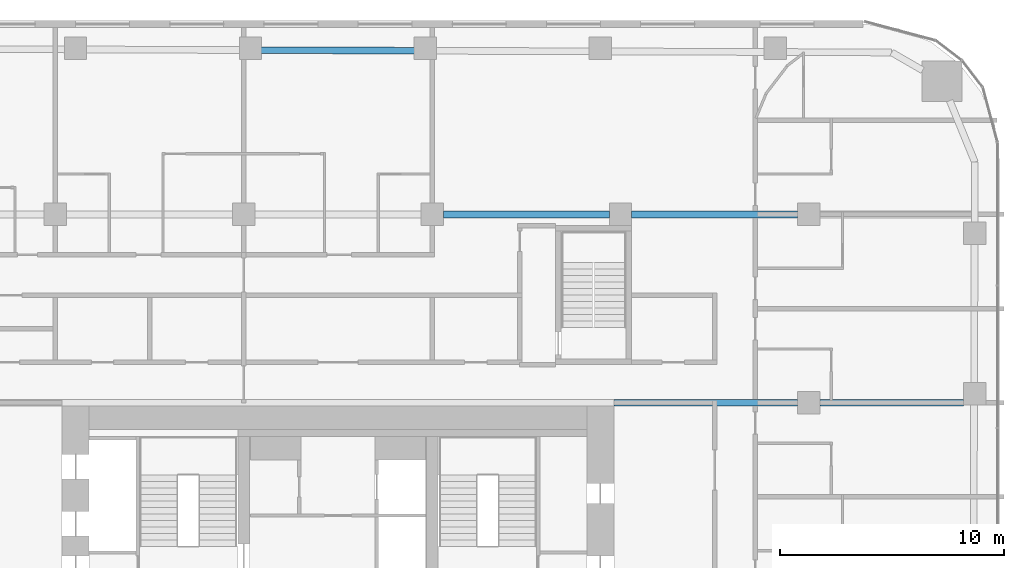
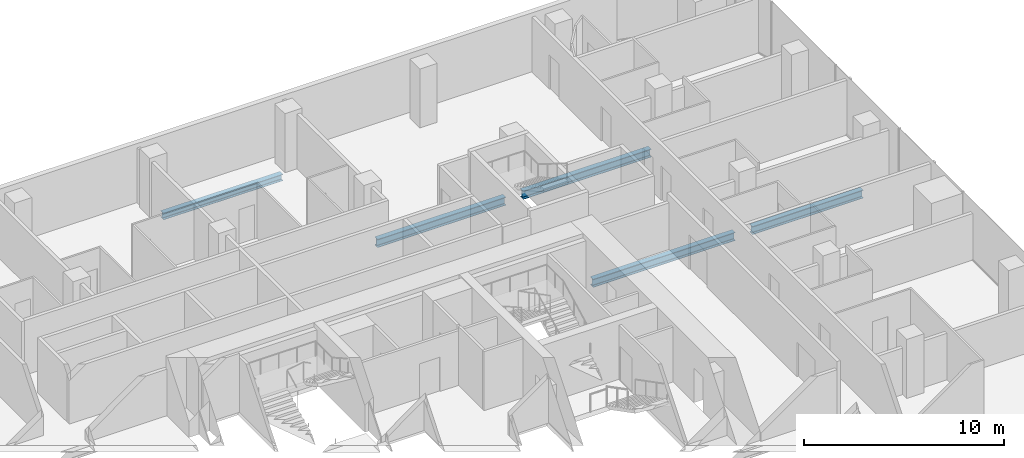
# One storey, part 11 of 25: 5 beams.
"""IFC4 building model written with IfcOpenShell, lengths in metres."""

from ifc_helpers import new_model, si_unit, direction, frame, origin, origin_2d, place, context, subcontext, project, spatial, i_section, extrude, material, material_profile, profile_set, type_object, element, save


model = new_model("IFC4")

# Units and contexts
model_context = context("Model", 3, precision=1e-05, world=origin(), true_north=direction((0.0, 1.0)))
body_context = subcontext(model_context, "Body", "Model", "MODEL_VIEW")
ifc_project = project(units=[si_unit("LENGTHUNIT", "METRE"), si_unit("AREAUNIT", "SQUARE_METRE"), si_unit("VOLUMEUNIT", "CUBIC_METRE"), si_unit("PLANEANGLEUNIT", "RADIAN"), si_unit("MASSUNIT", "GRAM", prefix="KILO")], contexts=[model_context])

# Site, building, storey
site_placement = place(None, origin())
site = spatial("IfcSite", under=ifc_project, at=site_placement, CompositionType="ELEMENT")
building_placement = place(site_placement, origin())
building = spatial("IfcBuilding", under=site, at=building_placement, Name="Marenta Gate Hotel Tower", CompositionType="ELEMENT")
storey_placement = place(building_placement, frame((0.0, 0.0, 50.89990234375)))
storey = spatial("IfcBuildingStorey", under=building, at=storey_placement, Name="L10", CompositionType="ELEMENT", Elevation=50.89990234375)

# Beams
ifc_material_1 = material(Name="Steel S355", Category="steel")
ifc_material_profile_1 = material_profile(ifc_material_1, i_section(OverallWidth=0.300048828125, OverallDepth=0.39990234375, WebThickness=0.013427734375, FlangeThickness=0.02392578125, FilletRadius=0.027099609375, at=origin_2d()), Name="HEB 400")
ifc_profile_set_1 = profile_set([ifc_material_profile_1], Name="Steel S355")
beam_type_1 = type_object("IfcBeamType", Name="Edge beam HEB 400", PredefinedType="SPANDREL", material=ifc_profile_set_1)
beam_1_placement = place(storey_placement, frame((-3.44140625, 32.52587890625, -0.4599609375), z_axis=(0.999993195747, -0.003688964684, 0.0), x_axis=(0.003688964684, 0.999993195747, 0.0)))
element("IfcBeam", 1, at=beam_1_placement, inside=storey, type_object=beam_type_1, Name="L10-EB-16", PredefinedType="SPANDREL", context=body_context, shape_type="SweptSolid", body=[
    extrude(i_section(OverallWidth=0.300048828125, OverallDepth=0.39990234375, WebThickness=0.013427734375, FlangeThickness=0.02392578125, FilletRadius=0.027099609375, at=origin_2d()), origin(), (0.0, 0.0, 1.0), 6.8828125),
])
ifc_material_2 = material(Name="Steel S355", Category="steel")
ifc_material_profile_2 = material_profile(ifc_material_2, i_section(OverallWidth=0.300048828125, OverallDepth=0.5, WebThickness=0.014404296875, FlangeThickness=0.028076171875, FilletRadius=0.027099609375, at=origin_2d()), Name="HEB 500")
ifc_profile_set_2 = profile_set([ifc_material_profile_2], Name="Steel S355")
beam_type_2 = type_object("IfcBeamType", Name="Girder HEB 500", PredefinedType="BEAM", material=ifc_profile_set_2)
beam_2_placement = place(storey_placement, frame((12.300048828125, 16.800048828125, -0.510009765625), z_axis=(1.0, 0.0, 0.0), x_axis=(0.0, 1.0, 0.0)))
element("IfcBeam", 2, at=beam_2_placement, inside=storey, type_object=beam_type_2, Name="L10-GD-20", PredefinedType="BEAM", context=body_context, shape_type="SweptSolid", body=[
    extrude(i_section(OverallWidth=0.300048828125, OverallDepth=0.5, WebThickness=0.014404296875, FlangeThickness=0.028076171875, FilletRadius=0.027099609375, at=origin_2d()), origin(), (0.0, 0.0, 1.0), 8.199951171875),
])
beam_3_placement = place(storey_placement, frame((21.5, 16.800048828125, -0.510009765625), z_axis=(1.0, 0.0, 0.0), x_axis=(0.0, 1.0, 0.0)))
element("IfcBeam", 3, at=beam_3_placement, inside=storey, type_object=beam_type_2, Name="L10-GD-21", PredefinedType="BEAM", context=body_context, shape_type="SweptSolid", body=[
    extrude(i_section(OverallWidth=0.300048828125, OverallDepth=0.5, WebThickness=0.014404296875, FlangeThickness=0.028076171875, FilletRadius=0.027099609375, at=origin_2d()), origin(), (0.0, 0.0, 1.0), 6.39990234375),
])
beam_4_placement = place(storey_placement, frame((4.699951171875, 25.199951171875, -0.510009765625), z_axis=(1.0, 0.0, 0.0), x_axis=(0.0, 1.0, 0.0)))
element("IfcBeam", 4, at=beam_4_placement, inside=storey, type_object=beam_type_2, Name="L10-GD-26", PredefinedType="BEAM", context=body_context, shape_type="SweptSolid", body=[
    extrude(i_section(OverallWidth=0.300048828125, OverallDepth=0.5, WebThickness=0.014404296875, FlangeThickness=0.028076171875, FilletRadius=0.027099609375, at=origin_2d()), origin(), (0.0, 0.0, 1.0), 7.400146484375),
])
beam_5_placement = place(storey_placement, frame((13.10009765625, 25.199951171875, -0.510009765625), z_axis=(1.0, 0.0, 0.0), x_axis=(0.0, 1.0, 0.0)))
element("IfcBeam", 5, at=beam_5_placement, inside=storey, type_object=beam_type_2, Name="L10-GD-27", PredefinedType="BEAM", context=body_context, shape_type="SweptSolid", body=[
    extrude(i_section(OverallWidth=0.300048828125, OverallDepth=0.5, WebThickness=0.014404296875, FlangeThickness=0.028076171875, FilletRadius=0.027099609375, at=origin_2d()), origin(), (0.0, 0.0, 1.0), 7.39990234375),
])

save(model, "model.ifc")
